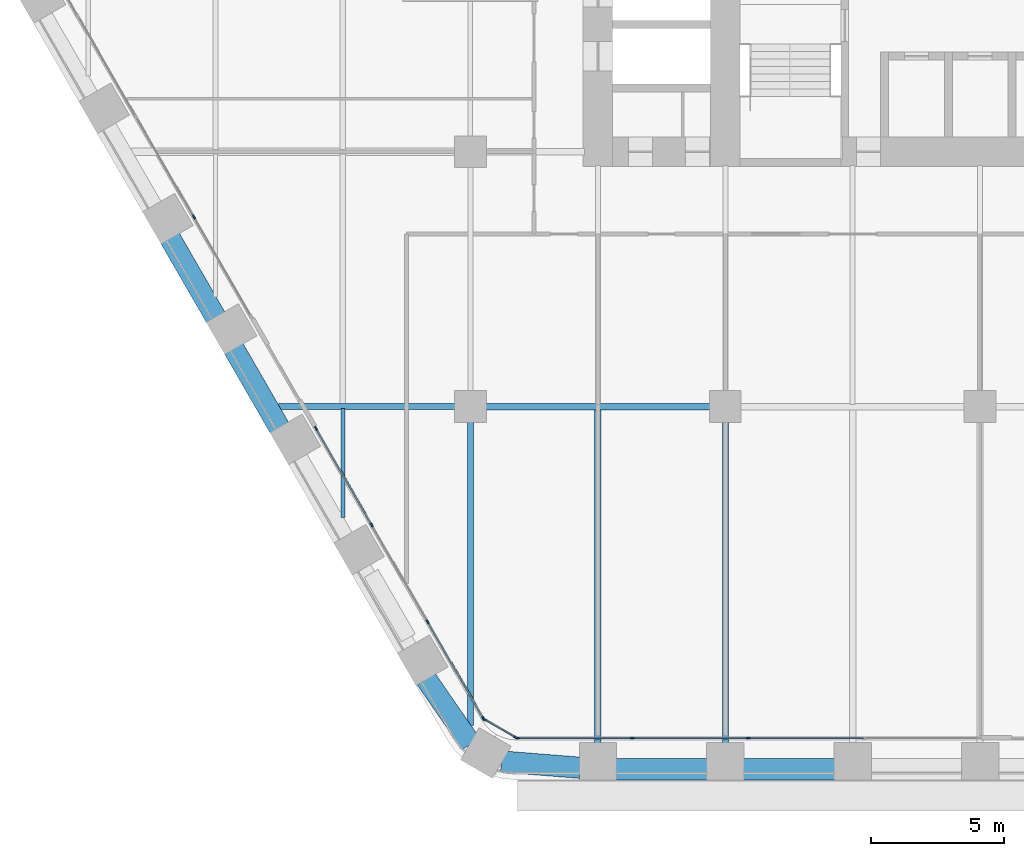
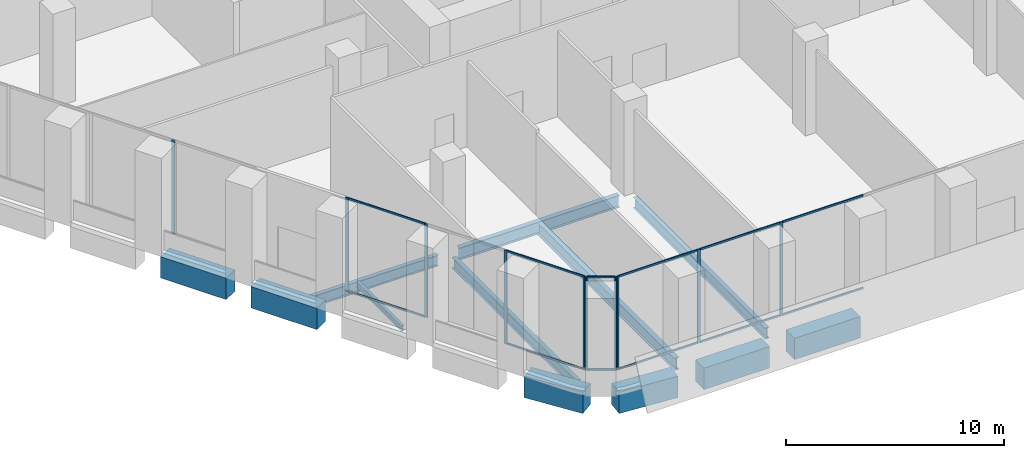
# One storey, part 2 of 27: 22 members, 12 beams, 4 elements without a shape of their own.
"""IFC4 building model written with IfcOpenShell, lengths in metres."""

from ifc_helpers import new_model, si_unit, direction, frame, origin, origin_2d, place, context, subcontext, project, spatial, rectangle, i_section, extrude, material, material_profile, profile_set, type_object, element, aggregate, save


model = new_model("IFC4")

# Units and contexts
model_context = context("Model", 3, precision=1e-05, world=origin(), true_north=direction((0.0, 1.0)))
body_context = subcontext(model_context, "Body", "Model", "MODEL_VIEW")
ifc_project = project(units=[si_unit("LENGTHUNIT", "METRE"), si_unit("AREAUNIT", "SQUARE_METRE"), si_unit("VOLUMEUNIT", "CUBIC_METRE"), si_unit("PLANEANGLEUNIT", "RADIAN"), si_unit("MASSUNIT", "GRAM", prefix="KILO")], contexts=[model_context])

# Site, building, storey
site_placement = place(None, origin())
site = spatial("IfcSite", under=ifc_project, at=site_placement, CompositionType="ELEMENT")
building_placement = place(site_placement, origin())
building = spatial("IfcBuilding", under=site, at=building_placement, Name="Kolab Exchange Tower", CompositionType="ELEMENT")
storey_placement = place(building_placement, frame((0.0, 0.0, 27.89990234375)))
storey = spatial("IfcBuildingStorey", under=building, at=storey_placement, Name="L05", CompositionType="ELEMENT", Elevation=27.89990234375)

# Beams
ifc_material_1 = material(Name="Steel S355", Category="steel")
ifc_material_profile_1 = material_profile(ifc_material_1, i_section(OverallWidth=0.1650390625, OverallDepth=0.31005859375, WebThickness=0.005859375, FlangeThickness=0.009765625, at=origin_2d()), Name="W310X39")
ifc_profile_set_1 = profile_set([ifc_material_profile_1], Name="Steel S355")
beam_type_1 = type_object("IfcBeamType", Name="FLOOR BEAM W310X39", PredefinedType="BEAM", material=ifc_profile_set_1)
beam_1_placement = place(storey_placement, frame((-24.0, -23.381591796875, -0.40478515625), z_axis=(0.0, 1.0, 0.0), x_axis=(-1.0, 0.0, 0.0)))
element("IfcBeam", 1, at=beam_1_placement, inside=storey, type_object=beam_type_1, Name="beam/L05/fr/006", PredefinedType="BEAM", context=body_context, shape_type="SweptSolid", body=[
    extrude(i_section(OverallWidth=0.1650390625, OverallDepth=0.31005859375, WebThickness=0.005859375, FlangeThickness=0.009765625, at=origin_2d()), origin(), (0.0, 0.0, 1.0), 4.107666015625),
])
ifc_material_profile_2 = material_profile(ifc_material_1, i_section(OverallWidth=0.22802734375, OverallDepth=0.60791015625, WebThickness=0.01123046875, FlangeThickness=0.017333984375, at=origin_2d()), Name="W610X113")
ifc_profile_set_2 = profile_set([ifc_material_profile_2], Name="Steel S355")
beam_type_2 = type_object("IfcBeamType", Name="FLOOR BEAM W610X113", PredefinedType="BEAM", material=ifc_profile_set_2)
beam_2_placement = place(storey_placement, frame((-19.199951171875, -31.214599609375, -0.553955078125), z_axis=(0.0, 1.0, 0.0), x_axis=(-1.0, 0.0, 0.0)))
element("IfcBeam", 2, at=beam_2_placement, inside=storey, type_object=beam_type_2, Name="beam/L05/fr/012", PredefinedType="BEAM", context=body_context, shape_type="SweptSolid", body=[
    extrude(i_section(OverallWidth=0.22802734375, OverallDepth=0.60791015625, WebThickness=0.01123046875, FlangeThickness=0.017333984375, at=origin_2d()), origin(), (0.0, 0.0, 1.0), 11.45458984375),
])
beam_3_placement = place(storey_placement, frame((-9.60009765625, -31.8955078125, -0.553955078125), z_axis=(0.0, 1.0, 0.0), x_axis=(-1.0, 0.0, 0.0)))
element("IfcBeam", 3, at=beam_3_placement, inside=storey, type_object=beam_type_2, Name="beam/L05/fr/022", PredefinedType="BEAM", context=body_context, shape_type="SweptSolid", body=[
    extrude(i_section(OverallWidth=0.22802734375, OverallDepth=0.60791015625, WebThickness=0.01123046875, FlangeThickness=0.017333984375, at=origin_2d()), origin(), (0.0, 0.0, 1.0), 12.135498046875),
])
ifc_material_profile_3 = material_profile(ifc_material_1, i_section(OverallWidth=0.25390625, OverallDepth=0.68408203125, WebThickness=0.012451171875, FlangeThickness=0.018798828125, at=origin_2d()), Name="W690X140")
ifc_profile_set_3 = profile_set([ifc_material_profile_3], Name="Steel S355")
beam_type_3 = type_object("IfcBeamType", Name="FLOOR BEAM W690X140", PredefinedType="BEAM", material=ifc_profile_set_3)
beam_4_placement = place(storey_placement, frame((-14.39990234375, -31.8955078125, -0.591796875), z_axis=(0.0, 1.0, 0.0), x_axis=(-1.0, 0.0, 0.0)))
element("IfcBeam", 4, at=beam_4_placement, inside=storey, type_object=beam_type_3, Name="beam/L05/fr/018", PredefinedType="BEAM", context=body_context, shape_type="SweptSolid", body=[
    extrude(i_section(OverallWidth=0.25390625, OverallDepth=0.68408203125, WebThickness=0.012451171875, FlangeThickness=0.018798828125, at=origin_2d()), origin(), (0.0, 0.0, 1.0), 12.6083984375),
])
ifc_material_profile_4 = material_profile(ifc_material_1, i_section(OverallWidth=0.22802734375, OverallDepth=0.60791015625, WebThickness=0.01123046875, FlangeThickness=0.017333984375, at=origin_2d()), Name="W610X113")
ifc_profile_set_4 = profile_set([ifc_material_profile_4], Name="Steel S355")
beam_type_4 = type_object("IfcBeamType", Name="FLOOR GIRDER W610X113", PredefinedType="BEAM", material=ifc_profile_set_4)
beam_5_placement = place(storey_placement, frame((-26.43115234375, -19.199951171875, -0.553955078125), z_axis=(1.0, 0.0, 0.0), x_axis=(0.0, 1.0, 0.0)))
element("IfcBeam", 5, at=beam_5_placement, inside=storey, type_object=beam_type_4, Name="beam/L05/gd/004", PredefinedType="BEAM", context=body_context, shape_type="SweptSolid", body=[
    extrude(i_section(OverallWidth=0.22802734375, OverallDepth=0.60791015625, WebThickness=0.01123046875, FlangeThickness=0.017333984375, at=origin_2d()), origin(), (0.0, 0.0, 1.0), 6.671142578125),
])
ifc_material_profile_5 = material_profile(ifc_material_1, i_section(OverallWidth=0.25390625, OverallDepth=0.68408203125, WebThickness=0.012451171875, FlangeThickness=0.018798828125, at=origin_2d()), Name="W690X140")
ifc_profile_set_5 = profile_set([ifc_material_profile_5], Name="Steel S355")
beam_type_5 = type_object("IfcBeamType", Name="FLOOR GIRDER W690X140", PredefinedType="BEAM", material=ifc_profile_set_5)
beam_6_placement = place(storey_placement, frame((-18.639892578125, -19.199951171875, -0.591796875), z_axis=(1.0, 0.0, 0.0), x_axis=(0.0, 1.0, 0.0)))
element("IfcBeam", 6, at=beam_6_placement, inside=storey, type_object=beam_type_5, Name="beam/L05/gd/006", PredefinedType="BEAM", context=body_context, shape_type="SweptSolid", body=[
    extrude(i_section(OverallWidth=0.25390625, OverallDepth=0.68408203125, WebThickness=0.012451171875, FlangeThickness=0.018798828125, at=origin_2d()), origin(), (0.0, 0.0, 1.0), 8.47998046875),
])
ifc_material_2 = material(Name="Concrete C80/95", Category="concrete")
ifc_material_profile_6 = material_profile(ifc_material_2, rectangle(XDim=0.800048828125, YDim=1.199951171875, at=origin_2d()), Name="RC800X1200")
ifc_profile_set_6 = profile_set([ifc_material_profile_6], Name="Concrete C80/95")
beam_type_6 = type_object("IfcBeamType", Name="SPANDREL BEAM 800X1200 C80/95", PredefinedType="BEAM", material=ifc_profile_set_6)
for number, where, z_axis, x_axis, name in (
    (7, (-5.4599609375, -32.85546875, -0.849853515625), (-1.0, 0.0, 0.0), (0.0, -1.0, 0.0), "beam/L05/sp/F4-06"),
    (8, (-10.260009765625, -32.85546875, -0.849853515625), (-1.0, 0.0, 0.0), (0.0, -1.0, 0.0), "beam/L05/sp/F4-07"),
):
    element("IfcBeam", number, at=place(storey_placement, frame(where, z_axis=z_axis, x_axis=x_axis)), inside=storey, type_object=beam_type_6, Name=name, PredefinedType="BEAM", context=body_context, shape_type="SweptSolid", body=[
        extrude(rectangle(XDim=0.800048828125, YDim=1.199951171875, at=origin_2d()), origin(), (0.0, 0.0, 1.0), 3.47998046875),
    ])
beam_7_placement = place(storey_placement, frame((-15.06005859375, -32.802734375, -0.849853515625), z_axis=(-0.996833978278, 0.07951112973, 0.0), x_axis=(-0.07951112973, -0.996833978278, 0.0)))
element("IfcBeam", 9, at=beam_7_placement, inside=storey, type_object=beam_type_6, Name="beam/L05/sp/F4-08", PredefinedType="BEAM", context=body_context, shape_type="SweptSolid", body=[
    extrude(rectangle(XDim=0.800048828125, YDim=1.199951171875, at=origin_2d()), origin(), (0.0, 0.0, 1.0), 2.984619140625),
])
beam_8_placement = place(storey_placement, frame((-19.18505859375, -31.901611328125, -0.849853515625), z_axis=(-0.567247290755, 0.823547516013, 0.0), x_axis=(-0.823547516013, -0.567247290755, 0.0)))
element("IfcBeam", 10, at=beam_8_placement, inside=storey, type_object=beam_type_6, Name="beam/L05/sp/F5-01", PredefinedType="BEAM", context=body_context, shape_type="SweptSolid", body=[
    extrude(rectangle(XDim=0.800048828125, YDim=1.199951171875, at=origin_2d()), origin(), (0.0, 0.0, 1.0), 2.984375),
])
beam_9_placement = place(storey_placement, frame((-26.383544921875, -20.012939453125, -0.849853515625), z_axis=(-0.500009906705, 0.86601968407, 0.0), x_axis=(-0.86601968407, -0.500009906705, 0.0)))
element("IfcBeam", 11, at=beam_9_placement, inside=storey, type_object=beam_type_6, Name="beam/L05/sp/F5-04", PredefinedType="BEAM", context=body_context, shape_type="SweptSolid", body=[
    extrude(rectangle(XDim=0.800048828125, YDim=1.199951171875, at=origin_2d()), origin(), (0.0, 0.0, 1.0), 3.47998046875),
])
beam_10_placement = place(storey_placement, frame((-28.78369140625, -15.856201171875, -0.849853515625), z_axis=(-0.499979528911, 0.866037222451, 0.0), x_axis=(-0.866037222451, -0.499979528911, 0.0)))
element("IfcBeam", 12, at=beam_10_placement, inside=storey, type_object=beam_type_6, Name="beam/L05/sp/F5-05", PredefinedType="BEAM", context=body_context, shape_type="SweptSolid", body=[
    extrude(rectangle(XDim=0.800048828125, YDim=1.199951171875, at=origin_2d()), origin(), (0.0, 0.0, 1.0), 3.480224609375),
])

# Curtain wall, members
ifc_material_3 = material(Name="Aluminium EN AW-6063 T6", Category="aluminium")
curtain_wall_type = type_object("IfcCurtainWallType", Name="UNITISED LOW ZONE CURTAIN WALL", PredefinedType="NOTDEFINED", material=ifc_material_3)
curtain_wall_1_placement = place(storey_placement, origin())
curtain_wall_1 = element("IfcCurtainWall", 13, at=curtain_wall_1_placement, inside=storey, type_object=curtain_wall_type, Name="cw/L05/F4-2", PredefinedType="NOTDEFINED")
ifc_material_profile_7 = material_profile(ifc_material_3, rectangle(XDim=0.06005859375, YDim=0.159912109375, at=origin_2d()), Name="RECT 60X160")
ifc_profile_set_7 = profile_set([ifc_material_profile_7], Name="Aluminium EN AW-6063 T6")
member_type_1 = type_object("IfcMemberType", Name="UNITISED LOW ZONE MULLION 60 X 160", PredefinedType="MULLION", material=ifc_profile_set_7)
member_1_placement = place(storey_placement, frame((-8.73388671875, -31.67529296875, 0.0), z_axis=(0.0, 0.0, 1.0), x_axis=(0.0, -1.0, 0.0)))
member_1 = element("IfcMember", 14, at=member_1_placement, type_object=member_type_1, Name="CW1 mullion 3", PredefinedType="MULLION", context=body_context, shape_type="SweptSolid", body=[
    extrude(rectangle(XDim=0.06005859375, YDim=0.159912109375, at=origin_2d()), origin(), (0.0, 0.0, 1.0), 5.25),
])
member_2_placement = place(storey_placement, frame((-13.10107421875, -31.67529296875, 0.0), z_axis=(0.0, 0.0, 1.0), x_axis=(0.0, -1.0, 0.0)))
member_2 = element("IfcMember", 15, at=member_2_placement, type_object=member_type_1, Name="CW1 mullion 4", PredefinedType="MULLION", context=body_context, shape_type="SweptSolid", body=[
    extrude(rectangle(XDim=0.06005859375, YDim=0.159912109375, at=origin_2d()), origin(), (0.0, 0.0, 1.0), 5.25),
])
member_3_placement = place(storey_placement, frame((-17.43798828125, -31.67529296875, 0.0), z_axis=(0.0, 0.0, 1.0), x_axis=(0.0, -1.0, 0.0)))
member_3 = element("IfcMember", 16, at=member_3_placement, type_object=member_type_1, Name="CW1 mullion 5", PredefinedType="MULLION", context=body_context, shape_type="SweptSolid", body=[
    extrude(rectangle(XDim=0.06005859375, YDim=0.159912109375, at=origin_2d()), origin(), (0.0, 0.0, 1.0), 5.25),
])

curtain_wall_2_placement = place(storey_placement, origin())
curtain_wall_2 = element("IfcCurtainWall", 17, at=curtain_wall_2_placement, inside=storey, type_object=curtain_wall_type, Name="cw/L05/F5-1", PredefinedType="NOTDEFINED")
member_4_placement = place(storey_placement, frame((-18.712646484375, -30.939453125, 0.0), z_axis=(0.0, 0.0, 1.0), x_axis=(-0.866025393644, -0.500000017564, 0.0)))
member_4 = element("IfcMember", 18, at=member_4_placement, type_object=member_type_1, Name="CW1 mullion 1", PredefinedType="MULLION", context=body_context, shape_type="SweptSolid", body=[
    extrude(rectangle(XDim=0.06005859375, YDim=0.159912109375, at=origin_2d()), origin(), (0.0, 0.0, 1.0), 5.25),
])
member_5_placement = place(storey_placement, frame((-20.80908203125, -27.308349609375, 0.0), z_axis=(0.0, 0.0, 1.0), x_axis=(-0.866025393644, -0.500000017564, 0.0)))
member_5 = element("IfcMember", 19, at=member_5_placement, type_object=member_type_1, Name="CW1 mullion 2", PredefinedType="MULLION", context=body_context, shape_type="SweptSolid", body=[
    extrude(rectangle(XDim=0.06005859375, YDim=0.159912109375, at=origin_2d()), origin(), (0.0, 0.0, 1.0), 5.25),
])
member_6_placement = place(storey_placement, frame((-22.92041015625, -23.651611328125, 0.0), z_axis=(0.0, 0.0, 1.0), x_axis=(-0.866025393644, -0.500000017564, 0.0)))
member_6 = element("IfcMember", 20, at=member_6_placement, type_object=member_type_1, Name="CW1 mullion 3", PredefinedType="MULLION", context=body_context, shape_type="SweptSolid", body=[
    extrude(rectangle(XDim=0.06005859375, YDim=0.159912109375, at=origin_2d()), origin(), (0.0, 0.0, 1.0), 5.25),
])
member_7_placement = place(storey_placement, frame((-25.0166015625, -20.0205078125, 0.0), z_axis=(0.0, 0.0, 1.0), x_axis=(-0.866025393644, -0.500000017564, 0.0)))
member_7 = element("IfcMember", 21, at=member_7_placement, type_object=member_type_1, Name="CW1 mullion 4", PredefinedType="MULLION", context=body_context, shape_type="SweptSolid", body=[
    extrude(rectangle(XDim=0.06005859375, YDim=0.159912109375, at=origin_2d()), origin(), (0.0, 0.0, 1.0), 5.25),
])

# Curtain wall, member
curtain_wall_3_placement = place(storey_placement, origin())
curtain_wall_3 = element("IfcCurtainWall", 22, at=curtain_wall_3_placement, inside=storey, type_object=curtain_wall_type, Name="cw/L05/F5-2", PredefinedType="NOTDEFINED")
member_8_placement = place(storey_placement, frame((-29.615234375, -12.0556640625, 0.0), z_axis=(0.0, 0.0, 1.0), x_axis=(-0.866025422102, -0.499999968274, 0.0)))
member_8 = element("IfcMember", 23, at=member_8_placement, type_object=member_type_1, Name="CW1 mullion 2", PredefinedType="MULLION", context=body_context, shape_type="SweptSolid", body=[
    extrude(rectangle(XDim=0.06005859375, YDim=0.159912109375, at=origin_2d()), origin(), (0.0, 0.0, 1.0), 5.25),
])
aggregate(curtain_wall_3, [member_8])

# Curtain wall, members
curtain_wall_4_placement = place(storey_placement, origin())
curtain_wall_4 = element("IfcCurtainWall", 24, at=curtain_wall_4_placement, inside=storey, type_object=curtain_wall_type, Name="cw/L05/F4F5-corner", PredefinedType="NOTDEFINED")
member_9_placement = place(storey_placement, frame((-17.493896484375, -31.660400390625, 0.0), z_axis=(0.0, 0.0, 1.0), x_axis=(-0.50000002237, -0.866025390869, 0.0)))
member_9 = element("IfcMember", 25, at=member_9_placement, type_object=member_type_1, Name="CW1 mullion 1", PredefinedType="MULLION", context=body_context, shape_type="SweptSolid", body=[
    extrude(rectangle(XDim=0.06005859375, YDim=0.159912109375, at=origin_2d()), origin(), (0.0, 0.0, 1.0), 5.25),
])
member_10_placement = place(storey_placement, frame((-18.671630859375, -30.98046875, 0.0), z_axis=(0.0, 0.0, 1.0), x_axis=(-0.50000002237, -0.866025390869, 0.0)))
member_10 = element("IfcMember", 26, at=member_10_placement, type_object=member_type_1, Name="CW1 mullion 2", PredefinedType="MULLION", context=body_context, shape_type="SweptSolid", body=[
    extrude(rectangle(XDim=0.06005859375, YDim=0.159912109375, at=origin_2d()), origin(), (0.0, 0.0, 1.0), 5.25),
])

# Member
ifc_material_profile_8 = material_profile(ifc_material_3, rectangle(XDim=0.06005859375, YDim=0.10009765625, at=origin_2d()), Name="RECT 60X100")
ifc_profile_set_8 = profile_set([ifc_material_profile_8], Name="Aluminium EN AW-6063 T6")
member_type_2 = type_object("IfcMemberType", Name="UNITISED LOW ZONE TRANSOM 60 X 100", PredefinedType="USERDEFINED", material=ifc_profile_set_8)
member_11_placement = place(storey_placement, frame((-4.39697265625, -31.67529296875, 0.030029296875), z_axis=(-1.0, 0.0, 0.0), x_axis=(0.0, -1.0, 0.0)))
member_11 = element("IfcMember", 27, at=member_11_placement, type_object=member_type_2, Name="CW1 transom 2.1", ObjectType="TRANSOM", PredefinedType="USERDEFINED", context=body_context, shape_type="SweptSolid", body=[
    extrude(rectangle(XDim=0.06005859375, YDim=0.10009765625, at=origin_2d()), origin(), (0.0, 0.0, 1.0), 4.306884765625),
])

member_12_placement = place(storey_placement, frame((-4.39697265625, -31.67529296875, 5.22021484375), z_axis=(-1.0, 0.0, 0.0), x_axis=(0.0, -1.0, 0.0)))
member_12 = element("IfcMember", 28, at=member_12_placement, type_object=member_type_2, Name="CW1 transom 2.2", ObjectType="TRANSOM", PredefinedType="USERDEFINED", context=body_context, shape_type="SweptSolid", body=[
    extrude(rectangle(XDim=0.06005859375, YDim=0.10009765625, at=origin_2d()), origin(), (0.0, 0.0, 1.0), 4.306884765625),
])

member_13_placement = place(storey_placement, frame((-8.763916015625, -31.67529296875, 0.030029296875), z_axis=(-1.0, 0.0, 0.0), x_axis=(0.0, -1.0, 0.0)))
member_13 = element("IfcMember", 29, at=member_13_placement, type_object=member_type_2, Name="CW1 transom 3.1", ObjectType="TRANSOM", PredefinedType="USERDEFINED", context=body_context, shape_type="SweptSolid", body=[
    extrude(rectangle(XDim=0.06005859375, YDim=0.10009765625, at=origin_2d()), origin(), (0.0, 0.0, 1.0), 4.30712890625),
])

member_14_placement = place(storey_placement, frame((-8.763916015625, -31.67529296875, 5.22021484375), z_axis=(-1.0, 0.0, 0.0), x_axis=(0.0, -1.0, 0.0)))
member_14 = element("IfcMember", 30, at=member_14_placement, type_object=member_type_2, Name="CW1 transom 3.2", ObjectType="TRANSOM", PredefinedType="USERDEFINED", context=body_context, shape_type="SweptSolid", body=[
    extrude(rectangle(XDim=0.06005859375, YDim=0.10009765625, at=origin_2d()), origin(), (0.0, 0.0, 1.0), 4.30712890625),
])

member_15_placement = place(storey_placement, frame((-13.130859375, -31.67529296875, 0.030029296875), z_axis=(-1.0, 0.0, 0.0), x_axis=(0.0, -1.0, 0.0)))
member_15 = element("IfcMember", 31, at=member_15_placement, type_object=member_type_2, Name="CW1 transom 4.1", ObjectType="TRANSOM", PredefinedType="USERDEFINED", context=body_context, shape_type="SweptSolid", body=[
    extrude(rectangle(XDim=0.06005859375, YDim=0.10009765625, at=origin_2d()), origin(), (0.0, 0.0, 1.0), 4.277099609375),
])

member_16_placement = place(storey_placement, frame((-13.130859375, -31.67529296875, 5.22021484375), z_axis=(-1.0, 0.0, 0.0), x_axis=(0.0, -1.0, 0.0)))
member_16 = element("IfcMember", 32, at=member_16_placement, type_object=member_type_2, Name="CW1 transom 4.2", ObjectType="TRANSOM", PredefinedType="USERDEFINED", context=body_context, shape_type="SweptSolid", body=[
    extrude(rectangle(XDim=0.06005859375, YDim=0.10009765625, at=origin_2d()), origin(), (0.0, 0.0, 1.0), 4.277099609375),
])

aggregate(curtain_wall_1, [member_1, member_2, member_3, member_11, member_12, member_13, member_14, member_15, member_16])

member_17_placement = place(storey_placement, frame((-18.727783203125, -30.913330078125, 0.030029296875), z_axis=(-0.499983268986, 0.866035063224, 0.0), x_axis=(-0.866035063224, -0.499983268986, 0.0)))
member_17 = element("IfcMember", 33, at=member_17_placement, type_object=member_type_2, Name="CW1 transom 1.1", ObjectType="TRANSOM", PredefinedType="USERDEFINED", context=body_context, shape_type="SweptSolid", body=[
    extrude(rectangle(XDim=0.06005859375, YDim=0.10009765625, at=origin_2d()), origin(), (0.0, 0.0, 1.0), 4.132568359375),
])

member_18_placement = place(storey_placement, frame((-18.727783203125, -30.913330078125, 5.22021484375), z_axis=(-0.499983268986, 0.866035063224, 0.0), x_axis=(-0.866035063224, -0.499983268986, 0.0)))
member_18 = element("IfcMember", 34, at=member_18_placement, type_object=member_type_2, Name="CW1 transom 1.2", ObjectType="TRANSOM", PredefinedType="USERDEFINED", context=body_context, shape_type="SweptSolid", body=[
    extrude(rectangle(XDim=0.06005859375, YDim=0.10009765625, at=origin_2d()), origin(), (0.0, 0.0, 1.0), 4.132568359375),
])

member_19_placement = place(storey_placement, frame((-22.935302734375, -23.62548828125, 0.030029296875), z_axis=(-0.500027577057, 0.866009481578, 0.0), x_axis=(-0.866009481578, -0.500027577057, 0.0)))
member_19 = element("IfcMember", 35, at=member_19_placement, type_object=member_type_2, Name="CW1 transom 3.1", ObjectType="TRANSOM", PredefinedType="USERDEFINED", context=body_context, shape_type="SweptSolid", body=[
    extrude(rectangle(XDim=0.06005859375, YDim=0.10009765625, at=origin_2d()), origin(), (0.0, 0.0, 1.0), 4.132568359375),
])

member_20_placement = place(storey_placement, frame((-22.935302734375, -23.62548828125, 5.22021484375), z_axis=(-0.500027577057, 0.866009481578, 0.0), x_axis=(-0.866009481578, -0.500027577057, 0.0)))
member_20 = element("IfcMember", 36, at=member_20_placement, type_object=member_type_2, Name="CW1 transom 3.2", ObjectType="TRANSOM", PredefinedType="USERDEFINED", context=body_context, shape_type="SweptSolid", body=[
    extrude(rectangle(XDim=0.06005859375, YDim=0.10009765625, at=origin_2d()), origin(), (0.0, 0.0, 1.0), 4.132568359375),
])

aggregate(curtain_wall_2, [member_4, member_5, member_6, member_7, member_17, member_18, member_19, member_20])

member_21_placement = place(storey_placement, frame((-17.52001953125, -31.645263671875, 0.030029296875), z_axis=(-0.86603858612, 0.49997716683, 0.0), x_axis=(-0.49997716683, -0.86603858612, 0.0)))
member_21 = element("IfcMember", 37, at=member_21_placement, type_object=member_type_2, Name="CW1 transom 1.1", ObjectType="TRANSOM", PredefinedType="USERDEFINED", context=body_context, shape_type="SweptSolid", body=[
    extrude(rectangle(XDim=0.06005859375, YDim=0.10009765625, at=origin_2d()), origin(), (0.0, 0.0, 1.0), 1.2998046875),
])

member_22_placement = place(storey_placement, frame((-17.52001953125, -31.645263671875, 5.22021484375), z_axis=(-0.86603858612, 0.49997716683, 0.0), x_axis=(-0.49997716683, -0.86603858612, 0.0)))
member_22 = element("IfcMember", 38, at=member_22_placement, type_object=member_type_2, Name="CW1 transom 1.2", ObjectType="TRANSOM", PredefinedType="USERDEFINED", context=body_context, shape_type="SweptSolid", body=[
    extrude(rectangle(XDim=0.06005859375, YDim=0.10009765625, at=origin_2d()), origin(), (0.0, 0.0, 1.0), 1.2998046875),
])

aggregate(curtain_wall_4, [member_9, member_10, member_21, member_22])

save(model, "model.ifc")
